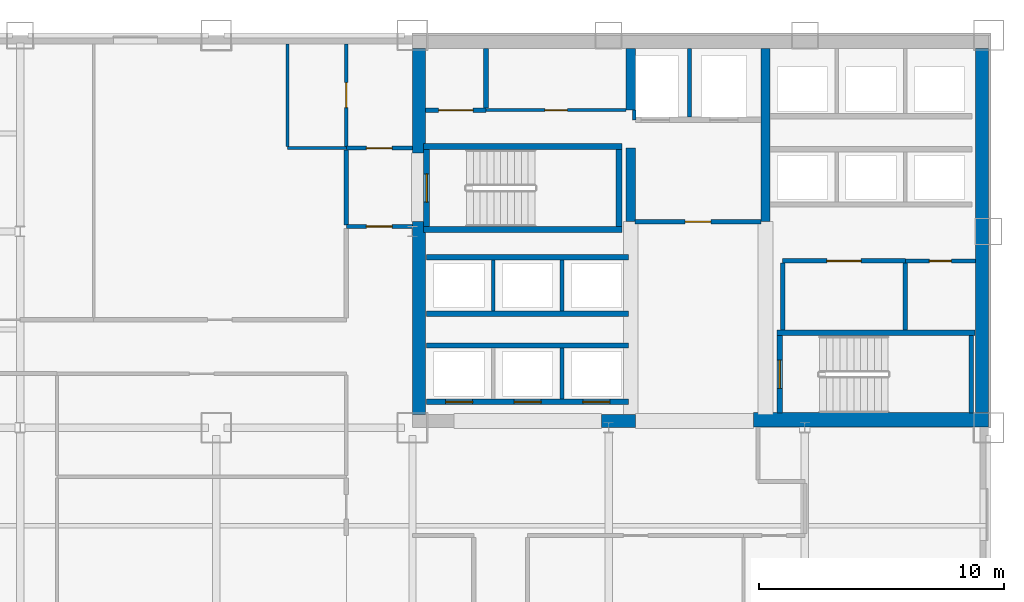
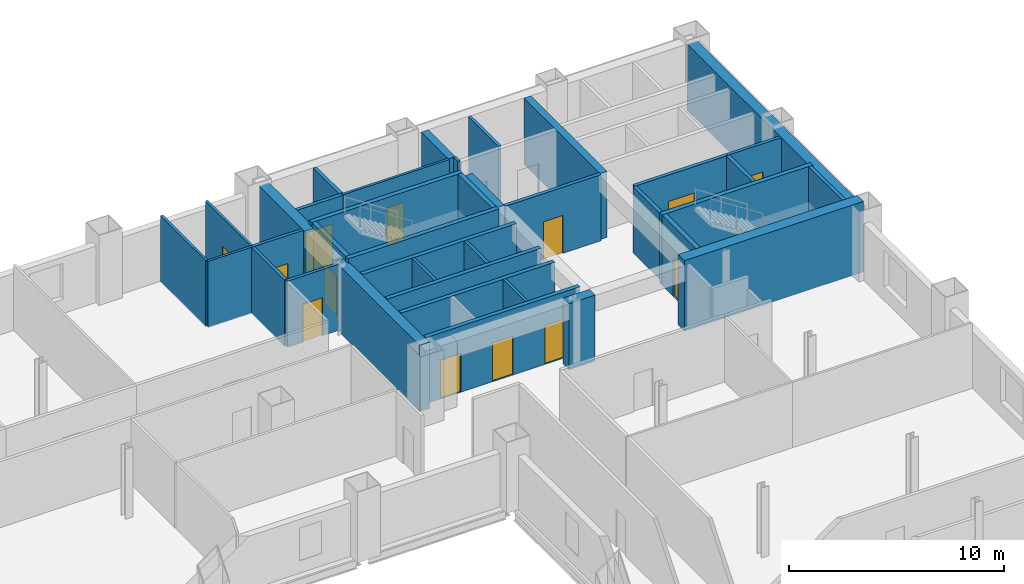
# One storey, part 6 of 9: 38 walls, 13 doors, 13 openings.
"""IFC4 building model written with IfcOpenShell, lengths in metres."""

from ifc_helpers import new_model, si_unit, direction, frame, frame_2d, origin, place, context, subcontext, project, spatial, rectangle, extrude, material, layer, layer_set, type_object, element, fill, save


model = new_model("IFC4")

# Units and contexts
model_context = context("Model", 3, precision=1e-05, world=origin(), true_north=direction((0.0, 1.0)))
body_context = subcontext(model_context, "Body", "Model", "MODEL_VIEW")
ifc_project = project(units=[si_unit("LENGTHUNIT", "METRE"), si_unit("AREAUNIT", "SQUARE_METRE"), si_unit("VOLUMEUNIT", "CUBIC_METRE"), si_unit("PLANEANGLEUNIT", "RADIAN"), si_unit("MASSUNIT", "GRAM", prefix="KILO")], contexts=[model_context])

# Site, building, storey
site_placement = place(None, origin())
site = spatial("IfcSite", under=ifc_project, at=site_placement, CompositionType="ELEMENT")
building_placement = place(site_placement, origin())
building = spatial("IfcBuilding", under=site, at=building_placement, Name="Qianrong Seaharbour Tower", CompositionType="ELEMENT")
storey_placement = place(building_placement, frame((0.0, 0.0, 80.199951171875)))
storey = spatial("IfcBuildingStorey", under=building, at=storey_placement, Name="L19", CompositionType="ELEMENT", Elevation=80.199951171875)

# Walls
ifc_material_1 = material(Name="Concrete C70/85", Category="concrete")
ifc_layer_1 = layer(ifc_material_1, 0.5400390625)
ifc_layer_set_1 = layer_set([ifc_layer_1], Name="Concrete C70/85")
wall_type_1 = type_object("IfcWallType", Name="WALL-CORE-540", PredefinedType="SHEAR", material=ifc_layer_set_1)
wall_1_placement = place(storey_placement, frame((63.72998046875, 36.320068359375, 0.0), z_axis=(0.0, 0.0, 1.0), x_axis=(0.0, 1.0, 0.0)))
element("IfcWall", 1, at=wall_1_placement, inside=storey, type_object=wall_type_1, Name="L19 East Core Shear Wall", PredefinedType="SHEAR", context=body_context, shape_type="SweptSolid", body=[
    extrude(rectangle(XDim=15.139892578125, YDim=0.5400390625, at=frame_2d((7.56982421875, 0.0))), origin(), (0.0, 0.0, 1.0), 3.75),
])
wall_2_placement = place(storey_placement, frame((40.77001953125, 36.5400390625, 0.0), z_axis=(0.0, 0.0, 1.0), x_axis=(0.0, 1.0, 0.0)))
element("IfcWall", 2, at=wall_2_placement, inside=storey, type_object=wall_type_1, Name="L19 West Core Shear Wall South", PredefinedType="SHEAR", context=body_context, shape_type="SweptSolid", body=[
    extrude(rectangle(XDim=7.85986328125, YDim=0.5400390625, at=frame_2d((3.929931640625, 0.0))), origin(), (0.0, 0.0, 1.0), 3.75),
])
wall_3_placement = place(storey_placement, frame((40.77001953125, 47.199951171875, 0.0), z_axis=(0.0, 0.0, 1.0), x_axis=(0.0, 1.0, 0.0)))
element("IfcWall", 3, at=wall_3_placement, inside=storey, type_object=wall_type_1, Name="L19 West Core Shear Wall North", PredefinedType="SHEAR", context=body_context, shape_type="SweptSolid", body=[
    extrude(rectangle(XDim=4.260009765625, YDim=0.5400390625, at=frame_2d((2.1298828125, 0.0))), origin(), (0.0, 0.0, 1.0), 3.75),
])
wall_4_placement = place(storey_placement, frame((48.199951171875, 36.27001953125, 0.0), z_axis=(0.0, 0.0, 1.0), x_axis=(1.0, 0.0, 0.0)))
element("IfcWall", 4, at=wall_4_placement, inside=storey, type_object=wall_type_1, Name="L19 South Core Shear Wall S2", PredefinedType="SHEAR", context=body_context, shape_type="SweptSolid", body=[
    extrude(rectangle(XDim=1.400146484375, YDim=0.5400390625, at=frame_2d((0.7001953125, 0.0))), origin(), (0.0, 0.0, 1.0), 3.75),
])
ifc_layer_2 = layer(ifc_material_1, 0.580078125)
ifc_layer_set_2 = layer_set([ifc_layer_2], Name="Concrete C70/85")
wall_type_2 = type_object("IfcWallType", Name="WALL-CORE-580", PredefinedType="SHEAR", material=ifc_layer_set_2)
wall_5_placement = place(storey_placement, frame((54.39990234375, 36.320068359375, 0.0), z_axis=(0.0, 0.0, 1.0), x_axis=(1.0, 0.0, 0.0)))
element("IfcWall", 5, at=wall_5_placement, inside=storey, type_object=wall_type_2, Name="L19 South Core Shear Wall S3", PredefinedType="SHEAR", context=body_context, shape_type="SweptSolid", body=[
    extrude(rectangle(XDim=9.60009765625, YDim=0.580078125, at=frame_2d((4.800048828125, 0.0))), origin(), (0.0, 0.0, 1.0), 4.0),
])
ifc_material_2 = material(Name="Concrete C60/75", Category="concrete")
ifc_layer_3 = layer(ifc_material_2, 0.3798828125)
ifc_layer_set_3 = layer_set([ifc_layer_3], Name="Concrete C60/75")
wall_type_3 = type_object("IfcWallType", Name="WALL-CORE-INT-380", PredefinedType="SHEAR", material=ifc_layer_set_3)
wall_6_placement = place(storey_placement, frame((49.39990234375, 44.39990234375, 0.0), z_axis=(0.0, 0.0, 1.0), x_axis=(0.0, 1.0, 0.0)))
element("IfcWall", 6, at=wall_6_placement, inside=storey, type_object=wall_type_3, Name="L19 Internal Core Shear Wall IW1N1", PredefinedType="SHEAR", context=body_context, shape_type="SweptSolid", body=[
    extrude(rectangle(XDim=3.0, YDim=0.3798828125, at=frame_2d((1.5, 0.0))), origin(), (0.0, 0.0, 1.0), 3.75),
])
wall_7_placement = place(storey_placement, frame((49.39990234375, 48.949951171875, 0.0), z_axis=(0.0, 0.0, 1.0), x_axis=(0.0, 1.0, 0.0)))
element("IfcWall", 7, at=wall_7_placement, inside=storey, type_object=wall_type_3, Name="L19 Internal Core Shear Wall IW1N2", PredefinedType="SHEAR", context=body_context, shape_type="SweptSolid", body=[
    extrude(rectangle(XDim=2.510009765625, YDim=0.3798828125, at=frame_2d((1.2548828125, 0.0))), origin(), (0.0, 0.0, 1.0), 3.75),
])
wall_8_placement = place(storey_placement, frame((54.89990234375, 44.39990234375, 0.0), z_axis=(0.0, 0.0, 1.0), x_axis=(0.0, 1.0, 0.0)))
element("IfcWall", 8, at=wall_8_placement, inside=storey, type_object=wall_type_3, Name="L19 Internal Core Shear Wall IW2N", PredefinedType="SHEAR", context=body_context, shape_type="SweptSolid", body=[
    extrude(rectangle(XDim=7.06005859375, YDim=0.3798828125, at=frame_2d((3.530029296875, 0.0))), origin(), (0.0, 0.0, 1.0), 3.75),
])

# Wall, opening, door
ifc_material_3 = material(Name="Fire-rated acoustic gypsum board partition")
ifc_layer_4 = layer(ifc_material_3, 0.1650390625)
ifc_layer_set_4 = layer_set([ifc_layer_4], Name="Fire-rated acoustic gypsum board partition")
wall_type_4 = type_object("IfcWallType", Name="WALL-CORR-PART-165", PredefinedType="PARTITIONING", material=ifc_layer_set_4)
wall_9_placement = place(storey_placement, frame((37.800048828125, 47.39990234375, 0.0), z_axis=(0.0, 0.0, 1.0), x_axis=(1.0, 0.0, 0.0)))
wall_9 = element("IfcWall", 9, at=wall_9_placement, inside=storey, type_object=wall_type_4, Name="L19 Interior Partition Wall 001", PredefinedType="PARTITIONING", context=body_context, shape_type="SweptSolid", body=[
    extrude(rectangle(XDim=2.699951171875, YDim=0.1650390625, at=frame_2d((1.35009765625, 0.0))), origin(), (0.0, 0.0, 1.0), 3.75),
])
opening_1_placement = place(wall_9_placement, frame((0.824951171875, 0.0, 0.0)))
opening_1 = element("IfcOpeningElement", 10, at=opening_1_placement, cuts=wall_9, Name="Opening DC-01", PredefinedType="OPENING", context=body_context, shape_type="SweptSolid", body=[
    extrude(rectangle(XDim=1.050048828125, YDim=2.14990234375, at=frame_2d((0.52490234375, 1.074951171875))), frame((0.0, 0.092529296875, 0.0), z_axis=(0.0, -1.0, 0.0), x_axis=(1.0, 0.0, 0.0)), (0.0, 0.0, 1.0), 0.18505859375),
])
ifc_material_4 = material(Name="Acoustic timber and galvanized steel fire door assembly", Category="steel")
door_type_1 = type_object("IfcDoorType", Name="DOOR-CORR-FD60-1050x2150", OperationType="NOTDEFINED", PredefinedType="DOOR", material=ifc_material_4)
door_1_placement = place(opening_1_placement, origin())
door_1 = element("IfcDoor", 11, at=door_1_placement, inside=storey, type_object=door_type_1, Name="L19 Smokeproof Stair Vestibule ST-1 Door", OperationType="SINGLE_SWING_LEFT", OverallHeight=2.14990234375, OverallWidth=1.050048828125, PredefinedType="DOOR", context=body_context, shape_type="SweptSolid", body=[
    extrude(rectangle(XDim=1.050048828125, YDim=2.14990234375, at=frame_2d((0.52490234375, 1.074951171875))), frame((0.0, 0.02490234375, 0.0), z_axis=(0.0, -1.0, 0.0), x_axis=(1.0, 0.0, 0.0)), (0.0, 0.0, 1.0), 0.050048828125),
])
fill(opening_1, door_1)

wall_10_placement = place(storey_placement, frame((40.5, 44.199951171875, 0.0), z_axis=(0.0, 0.0, 1.0), x_axis=(-1.0, 0.0, 0.0)))
wall_10 = element("IfcWall", 12, at=wall_10_placement, inside=storey, type_object=wall_type_4, Name="L19 Interior Partition Wall 002", PredefinedType="PARTITIONING", context=body_context, shape_type="SweptSolid", body=[
    extrude(rectangle(XDim=2.699951171875, YDim=0.1650390625, at=frame_2d((1.35009765625, 0.0))), origin(), (0.0, 0.0, 1.0), 3.75),
])
opening_2_placement = place(wall_10_placement, frame((0.824951171875, 0.0, 0.0)))
opening_2 = element("IfcOpeningElement", 13, at=opening_2_placement, cuts=wall_10, Name="Opening DC-01", PredefinedType="OPENING", context=body_context, shape_type="SweptSolid", body=[
    extrude(rectangle(XDim=1.050048828125, YDim=2.14990234375, at=frame_2d((0.52490234375, 1.074951171875))), frame((0.0, 0.092529296875, 0.0), z_axis=(0.0, -1.0, 0.0), x_axis=(1.0, 0.0, 0.0)), (0.0, 0.0, 1.0), 0.18505859375),
])
door_2_placement = place(opening_2_placement, origin())
door_2 = element("IfcDoor", 14, at=door_2_placement, inside=storey, type_object=door_type_1, Name="L19 Smokeproof Stair Vestibule ST-1 Door", OperationType="SINGLE_SWING_RIGHT", OverallHeight=2.14990234375, OverallWidth=1.050048828125, PredefinedType="DOOR", context=body_context, shape_type="SweptSolid", body=[
    extrude(rectangle(XDim=1.050048828125, YDim=2.14990234375, at=frame_2d((0.52490234375, 1.074951171875))), frame((0.0, 0.02490234375, 0.0), z_axis=(0.0, -1.0, 0.0), x_axis=(1.0, 0.0, 0.0)), (0.0, 0.0, 1.0), 0.050048828125),
])
fill(opening_2, door_2)

# Wall
wall_11_placement = place(storey_placement, frame((37.800048828125, 44.2744140625, 0.0), z_axis=(0.0, 0.0, 1.0), x_axis=(0.0, 1.0, 0.0)))
element("IfcWall", 15, at=wall_11_placement, inside=storey, type_object=wall_type_4, Name="L19 Interior Partition Wall 003", PredefinedType="PARTITIONING", context=body_context, shape_type="SweptSolid", body=[
    extrude(rectangle(XDim=3.051025390625, YDim=0.1650390625, at=frame_2d((1.525390625, 0.0))), origin(), (0.0, 0.0, 1.0), 3.75),
])

# Wall, opening, door
wall_12_placement = place(storey_placement, frame((63.4599609375, 42.800048828125, 0.0), z_axis=(0.0, 0.0, 1.0), x_axis=(-1.0, 0.0, 0.0)))
wall_12 = element("IfcWall", 16, at=wall_12_placement, inside=storey, type_object=wall_type_4, Name="L19 Interior Partition Wall 012", PredefinedType="PARTITIONING", context=body_context, shape_type="SweptSolid", body=[
    extrude(rectangle(XDim=2.85986328125, YDim=0.1650390625, at=frame_2d((1.429931640625, 0.0))), origin(), (0.0, 0.0, 1.0), 3.75),
])
opening_3_placement = place(wall_12_placement, frame((0.97998046875, 0.0, 0.0)))
opening_3 = element("IfcOpeningElement", 17, at=opening_3_placement, cuts=wall_12, Name="Opening DS-01", PredefinedType="OPENING", context=body_context, shape_type="SweptSolid", body=[
    extrude(rectangle(XDim=0.89990234375, YDim=2.14990234375, at=frame_2d((0.449951171875, 1.074951171875))), frame((0.0, 0.092529296875, 0.0), z_axis=(0.0, -1.0, 0.0), x_axis=(1.0, 0.0, 0.0)), (0.0, 0.0, 1.0), 0.18505859375),
])
door_type_2 = type_object("IfcDoorType", Name="DOOR-STORE-900x2150", OperationType="NOTDEFINED", PredefinedType="DOOR", material=ifc_material_4)
door_3_placement = place(opening_3_placement, origin())
door_3 = element("IfcDoor", 18, at=door_3_placement, inside=storey, type_object=door_type_2, Name="L19 Housekeeping Linen Store Door", OperationType="SINGLE_SWING_RIGHT", OverallHeight=2.14990234375, OverallWidth=0.89990234375, PredefinedType="DOOR", context=body_context, shape_type="SweptSolid", body=[
    extrude(rectangle(XDim=0.89990234375, YDim=2.14990234375, at=frame_2d((0.449951171875, 1.074951171875))), frame((0.0, 0.02490234375, 0.0), z_axis=(0.0, -1.0, 0.0), x_axis=(1.0, 0.0, 0.0)), (0.0, 0.0, 1.0), 0.050048828125),
])
fill(opening_3, door_3)

ifc_material_5 = material(Name="Double fire-rated gypsum board acoustic partition")
ifc_layer_5 = layer(ifc_material_5, 0.18994140625)
ifc_layer_set_5 = layer_set([ifc_layer_5], Name="Double fire-rated gypsum board acoustic partition")
wall_type_5 = type_object("IfcWallType", Name="WALL-FIRE-PART-190", PredefinedType="PARTITIONING", material=ifc_layer_set_5)
wall_13_placement = place(storey_placement, frame((41.0400390625, 48.949951171875, 0.0), z_axis=(0.0, 0.0, 1.0), x_axis=(1.0, 0.0, 0.0)))
wall_13 = element("IfcWall", 19, at=wall_13_placement, inside=storey, type_object=wall_type_5, Name="L19 Interior Partition Wall 007", PredefinedType="PARTITIONING", context=body_context, shape_type="SweptSolid", body=[
    extrude(rectangle(XDim=2.4599609375, YDim=0.18994140625, at=frame_2d((1.22998046875, 0.0))), origin(), (0.0, 0.0, 1.0), 3.75),
])
opening_4_placement = place(wall_13_placement, frame((0.530029296875, 0.0, 0.0)))
opening_4 = element("IfcOpeningElement", 20, at=opening_4_placement, cuts=wall_13, Name="Opening DP-01", PredefinedType="OPENING", context=body_context, shape_type="SweptSolid", body=[
    extrude(rectangle(XDim=1.39990234375, YDim=2.25, at=frame_2d((0.699951171875, 1.125))), frame((0.0, 0.10498046875, 0.0), z_axis=(0.0, -1.0, 0.0), x_axis=(1.0, 0.0, 0.0)), (0.0, 0.0, 1.0), 0.2099609375),
])
door_type_3 = type_object("IfcDoorType", Name="DOOR-PLANT-PAIR-1400x2250", OperationType="DOUBLE_DOOR_SINGLE_SWING", PredefinedType="DOOR", material=ifc_material_4)
door_4_placement = place(opening_4_placement, origin())
door_4 = element("IfcDoor", 21, at=door_4_placement, inside=storey, type_object=door_type_3, Name="L19 Core Electrical Closet Door", OperationType="DOUBLE_DOOR_SINGLE_SWING", OverallHeight=2.25, OverallWidth=1.39990234375, PredefinedType="DOOR", context=body_context, shape_type="SweptSolid", body=[
    extrude(rectangle(XDim=1.39990234375, YDim=2.25, at=frame_2d((0.699951171875, 1.125))), frame((0.0, 0.02490234375, 0.0), z_axis=(0.0, -1.0, 0.0), x_axis=(1.0, 0.0, 0.0)), (0.0, 0.0, 1.0), 0.050048828125),
])
fill(opening_4, door_4)

wall_14_placement = place(storey_placement, frame((54.718017578125, 44.39990234375, 0.0), z_axis=(0.0, 0.0, 1.0), x_axis=(-1.0, 0.0, 0.0)))
wall_14 = element("IfcWall", 22, at=wall_14_placement, inside=storey, type_object=wall_type_5, Name="L19 Interior Partition Wall 009", PredefinedType="PARTITIONING", context=body_context, shape_type="SweptSolid", body=[
    extrude(rectangle(XDim=5.135986328125, YDim=0.18994140625, at=frame_2d((2.56787109375, 0.0))), origin(), (0.0, 0.0, 1.0), 3.75),
])
opening_5_placement = place(wall_14_placement, frame((2.04296875, 0.0, 0.0)))
opening_5 = element("IfcOpeningElement", 23, at=opening_5_placement, cuts=wall_14, Name="Opening DC-01", PredefinedType="OPENING", context=body_context, shape_type="SweptSolid", body=[
    extrude(rectangle(XDim=1.050048828125, YDim=2.14990234375, at=frame_2d((0.52490234375, 1.074951171875))), frame((0.0, 0.10498046875, 0.0), z_axis=(0.0, -1.0, 0.0), x_axis=(1.0, 0.0, 0.0)), (0.0, 0.0, 1.0), 0.2099609375),
])
door_5_placement = place(opening_5_placement, origin())
door_5 = element("IfcDoor", 24, at=door_5_placement, inside=storey, type_object=door_type_1, Name="L19 Firefighting Lift Lobby Door", OperationType="SINGLE_SWING_RIGHT", OverallHeight=2.14990234375, OverallWidth=1.050048828125, PredefinedType="DOOR", context=body_context, shape_type="SweptSolid", body=[
    extrude(rectangle(XDim=1.050048828125, YDim=2.14990234375, at=frame_2d((0.52490234375, 1.074951171875))), frame((0.0, 0.02490234375, 0.0), z_axis=(0.0, -1.0, 0.0), x_axis=(1.0, 0.0, 0.0)), (0.0, 0.0, 1.0), 0.050048828125),
])
fill(opening_5, door_5)

# Wall
wall_15_placement = place(storey_placement, frame((55.60009765625, 42.712890625, 0.0), z_axis=(0.0, 0.0, 1.0), x_axis=(0.0, -1.0, 0.0)))
element("IfcWall", 25, at=wall_15_placement, inside=storey, type_object=wall_type_5, Name="L19 Interior Partition Wall 010", PredefinedType="PARTITIONING", context=body_context, shape_type="SweptSolid", body=[
    extrude(rectangle(XDim=2.73095703125, YDim=0.18994140625, at=frame_2d((1.365478515625, 0.0))), origin(), (0.0, 0.0, 1.0), 3.75),
])

# Wall, opening, door
wall_16_placement = place(storey_placement, frame((60.60009765625, 42.800048828125, 0.0), z_axis=(0.0, 0.0, 1.0), x_axis=(-1.0, 0.0, 0.0)))
wall_16 = element("IfcWall", 26, at=wall_16_placement, inside=storey, type_object=wall_type_5, Name="L19 Interior Partition Wall 011", PredefinedType="PARTITIONING", context=body_context, shape_type="SweptSolid", body=[
    extrude(rectangle(XDim=5.0, YDim=0.18994140625, at=frame_2d((2.5, 0.0))), origin(), (0.0, 0.0, 1.0), 3.75),
])
opening_6_placement = place(wall_16_placement, frame((1.800048828125, 0.0, 0.0)))
opening_6 = element("IfcOpeningElement", 27, at=opening_6_placement, cuts=wall_16, Name="Opening DP-01", PredefinedType="OPENING", context=body_context, shape_type="SweptSolid", body=[
    extrude(rectangle(XDim=1.39990234375, YDim=2.25, at=frame_2d((0.699951171875, 1.125))), frame((0.0, 0.10498046875, 0.0), z_axis=(0.0, -1.0, 0.0), x_axis=(1.0, 0.0, 0.0)), (0.0, 0.0, 1.0), 0.2099609375),
])
door_6_placement = place(opening_6_placement, origin())
door_6 = element("IfcDoor", 28, at=door_6_placement, inside=storey, type_object=door_type_3, Name="L19 Submetering Switch Room Door", OperationType="DOUBLE_DOOR_SINGLE_SWING", OverallHeight=2.25, OverallWidth=1.39990234375, PredefinedType="DOOR", context=body_context, shape_type="SweptSolid", body=[
    extrude(rectangle(XDim=1.39990234375, YDim=2.25, at=frame_2d((0.699951171875, 1.125))), frame((0.0, 0.02490234375, 0.0), z_axis=(0.0, -1.0, 0.0), x_axis=(1.0, 0.0, 0.0)), (0.0, 0.0, 1.0), 0.050048828125),
])
fill(opening_6, door_6)

# Walls
wall_17_placement = place(storey_placement, frame((43.5, 51.4599609375, 0.0), z_axis=(0.0, 0.0, 1.0), x_axis=(0.0, -1.0, 0.0)))
element("IfcWall", 29, at=wall_17_placement, inside=storey, type_object=wall_type_5, Name="L19 Interior Partition Wall 013", PredefinedType="PARTITIONING", context=body_context, shape_type="SweptSolid", body=[
    extrude(rectangle(XDim=2.4228515625, YDim=0.18994140625, at=frame_2d((1.21142578125, 0.0))), origin(), (0.0, 0.0, 1.0), 3.75),
])
wall_18_placement = place(storey_placement, frame((60.60009765625, 42.712890625, 0.0), z_axis=(0.0, 0.0, 1.0), x_axis=(0.0, -1.0, 0.0)))
element("IfcWall", 30, at=wall_18_placement, inside=storey, type_object=wall_type_5, Name="L19 Interior Partition Wall 014", PredefinedType="PARTITIONING", context=body_context, shape_type="SweptSolid", body=[
    extrude(rectangle(XDim=2.73095703125, YDim=0.18994140625, at=frame_2d((1.365478515625, 0.0))), origin(), (0.0, 0.0, 1.0), 3.75),
])
ifc_material_6 = material(Name="Fire-rated gypsum board on steel studs", Category="steel")
ifc_layer_6 = layer(ifc_material_6, 0.14990234375)
ifc_layer_set_6 = layer_set([ifc_layer_6], Name="Fire-rated gypsum board on steel studs")
wall_type_6 = type_object("IfcWallType", Name="WALL-SHAFT-DIV-150", PredefinedType="PARTITIONING", material=ifc_layer_set_6)
wall_19_placement = place(storey_placement, frame((51.800048828125, 48.669921875, 0.0), z_axis=(0.0, 0.0, 1.0), x_axis=(0.0, 1.0, 0.0)))
element("IfcWall", 31, at=wall_19_placement, inside=storey, type_object=wall_type_6, Name="L19 Firefighting Lift Shaft Divider Wall", PredefinedType="PARTITIONING", context=body_context, shape_type="SweptSolid", body=[
    extrude(rectangle(XDim=2.7900390625, YDim=0.14990234375, at=frame_2d((1.39501953125, 0.0))), origin(), (0.0, 0.0, 1.0), 3.75),
])
wall_20_placement = place(storey_placement, frame((49.550048828125, 48.550048828125, 0.0), z_axis=(0.0, 0.0, 1.0), x_axis=(0.0, 1.0, 0.0)))
element("IfcWall", 32, at=wall_20_placement, inside=storey, type_object=wall_type_6, Name="L19 Firefighting Lift Shaft West Return Wall", PredefinedType="PARTITIONING", context=body_context, shape_type="SweptSolid", body=[
    extrude(rectangle(XDim=0.39990234375, YDim=0.14990234375, at=frame_2d((0.199951171875, 0.0))), origin(), (0.0, 0.0, 1.0), 3.75),
])
for number, where, z_axis, x_axis, name in (
    (33, (46.60009765625, 37.159912109375, 0.0), (0.0, 0.0, 1.0), (0.0, 1.0, 0.0), "L19 P1 Lift Hoistway Divider 3"),
    (34, (43.800048828125, 40.760009765625, 0.0), (0.0, 0.0, 1.0), (0.0, 1.0, 0.0), "L19 P2 Lift Hoistway Divider 2"),
    (35, (46.60009765625, 40.760009765625, 0.0), (0.0, 0.0, 1.0), (0.0, 1.0, 0.0), "L19 P2 Lift Hoistway Divider 3"),
):
    element("IfcWall", number, at=place(storey_placement, frame(where, z_axis=z_axis, x_axis=x_axis)), inside=storey, type_object=wall_type_6, Name=name, PredefinedType="PARTITIONING", context=body_context, shape_type="SweptSolid", body=[
        extrude(rectangle(XDim=2.080078125, YDim=0.14990234375, at=frame_2d((1.0400390625, 0.0))), origin(), (0.0, 0.0, 1.0), 3.75),
    ])

# Wall, openings, doors
ifc_layer_7 = layer(ifc_material_6, 0.219970703125)
ifc_layer_set_7 = layer_set([ifc_layer_7], Name="Fire-rated gypsum board on steel studs")
wall_type_7 = type_object("IfcWallType", Name="WALL-SHAFT-GYP220", PredefinedType="PARTITIONING", material=ifc_layer_set_7)
wall_21_placement = place(storey_placement, frame((49.320068359375, 37.050048828125, 0.0), z_axis=(0.0, 0.0, 1.0), x_axis=(-1.0, 0.0, 0.0)))
wall_21 = element("IfcWall", 36, at=wall_21_placement, inside=storey, type_object=wall_type_7, Name="L19 P1 Lift Hoistway Front Wall", PredefinedType="PARTITIONING", context=body_context, shape_type="SweptSolid", body=[
    extrude(rectangle(XDim=8.239990234375, YDim=0.219970703125, at=frame_2d((4.1201171875, 0.0))), origin(), (0.0, 0.0, 1.0), 3.75),
])
opening_7_placement = place(wall_21_placement, frame((6.3701171875, 0.0, 0.0)))
opening_7 = element("IfcOpeningElement", 37, at=opening_7_placement, cuts=wall_21, Name="Opening LD-02", PredefinedType="OPENING", context=body_context, shape_type="SweptSolid", body=[
    extrude(rectangle(XDim=1.10009765625, YDim=2.199951171875, at=frame_2d((0.550048828125, 1.10009765625))), frame((0.0, 0.1201171875, 0.0), z_axis=(0.0, -1.0, 0.0), x_axis=(1.0, 0.0, 0.0)), (0.0, 0.0, 1.0), 0.239990234375),
])
opening_8_placement = place(wall_21_placement, frame((3.570068359375, 0.0, 0.0)))
opening_8 = element("IfcOpeningElement", 38, at=opening_8_placement, cuts=wall_21, Name="Opening LD-02", PredefinedType="OPENING", context=body_context, shape_type="SweptSolid", body=[
    extrude(rectangle(XDim=1.10009765625, YDim=2.199951171875, at=frame_2d((0.550048828125, 1.10009765625))), frame((0.0, 0.1201171875, 0.0), z_axis=(0.0, -1.0, 0.0), x_axis=(1.0, 0.0, 0.0)), (0.0, 0.0, 1.0), 0.239990234375),
])
opening_9_placement = place(wall_21_placement, frame((0.77001953125, 0.0, 0.0)))
opening_9 = element("IfcOpeningElement", 39, at=opening_9_placement, cuts=wall_21, Name="Opening LD-02", PredefinedType="OPENING", context=body_context, shape_type="SweptSolid", body=[
    extrude(rectangle(XDim=1.10009765625, YDim=2.199951171875, at=frame_2d((0.550048828125, 1.10009765625))), frame((0.0, 0.1201171875, 0.0), z_axis=(0.0, -1.0, 0.0), x_axis=(1.0, 0.0, 0.0)), (0.0, 0.0, 1.0), 0.239990234375),
])
ifc_material_7 = material(Name="Stainless steel SUS316L bi-parting lift landing door", Category="steel")
door_type_4 = type_object("IfcDoorType", Name="DOOR-LIFT-PASS-1100x2200", OperationType="DOUBLE_DOOR_SLIDING", PredefinedType="DOOR", material=ifc_material_7)
door_7_placement = place(opening_7_placement, origin())
door_7 = element("IfcDoor", 40, at=door_7_placement, inside=storey, type_object=door_type_4, Name="L19 PL-1A Lift Landing Door", OperationType="DOUBLE_DOOR_SLIDING", OverallHeight=2.199951171875, OverallWidth=1.10009765625, PredefinedType="DOOR", context=body_context, shape_type="SweptSolid", body=[
    extrude(rectangle(XDim=1.10009765625, YDim=2.199951171875, at=frame_2d((0.550048828125, 1.10009765625))), frame((0.0, 0.02490234375, 0.0), z_axis=(0.0, -1.0, 0.0), x_axis=(1.0, 0.0, 0.0)), (0.0, 0.0, 1.0), 0.050048828125),
])
fill(opening_7, door_7)
door_8_placement = place(opening_8_placement, origin())
door_8 = element("IfcDoor", 41, at=door_8_placement, inside=storey, type_object=door_type_4, Name="L19 PL-1B Lift Landing Door", OperationType="DOUBLE_DOOR_SLIDING", OverallHeight=2.199951171875, OverallWidth=1.10009765625, PredefinedType="DOOR", context=body_context, shape_type="SweptSolid", body=[
    extrude(rectangle(XDim=1.10009765625, YDim=2.199951171875, at=frame_2d((0.550048828125, 1.10009765625))), frame((0.0, 0.02490234375, 0.0), z_axis=(0.0, -1.0, 0.0), x_axis=(1.0, 0.0, 0.0)), (0.0, 0.0, 1.0), 0.050048828125),
])
fill(opening_8, door_8)
door_9_placement = place(opening_9_placement, origin())
door_9 = element("IfcDoor", 42, at=door_9_placement, inside=storey, type_object=door_type_4, Name="L19 PL-1C Lift Landing Door", OperationType="DOUBLE_DOOR_SLIDING", OverallHeight=2.199951171875, OverallWidth=1.10009765625, PredefinedType="DOOR", context=body_context, shape_type="SweptSolid", body=[
    extrude(rectangle(XDim=1.10009765625, YDim=2.199951171875, at=frame_2d((0.550048828125, 1.10009765625))), frame((0.0, 0.02490234375, 0.0), z_axis=(0.0, -1.0, 0.0), x_axis=(1.0, 0.0, 0.0)), (0.0, 0.0, 1.0), 0.050048828125),
])
fill(opening_9, door_9)

# Walls
for number, where, z_axis, x_axis, name in (
    (43, (41.080078125, 39.35009765625, 0.0), (0.0, 0.0, 1.0), (1.0, 0.0, 0.0), "L19 P1 Lift Hoistway Back Wall"),
    (44, (49.320068359375, 40.64990234375, 0.0), (0.0, 0.0, 1.0), (-1.0, 0.0, 0.0), "L19 P2 Lift Hoistway Front Wall"),
    (45, (41.080078125, 42.949951171875, 0.0), (0.0, 0.0, 1.0), (1.0, 0.0, 0.0), "L19 P2 Lift Hoistway Back Wall"),
):
    element("IfcWall", number, at=place(storey_placement, frame(where, z_axis=z_axis, x_axis=x_axis)), inside=storey, type_object=wall_type_7, Name=name, PredefinedType="PARTITIONING", context=body_context, shape_type="SweptSolid", body=[
        extrude(rectangle(XDim=8.239990234375, YDim=0.219970703125, at=frame_2d((4.1201171875, 0.0))), origin(), (0.0, 0.0, 1.0), 3.75),
    ])
ifc_material_8 = material(Name="Concrete C50/60", Category="concrete")
ifc_layer_8 = layer(ifc_material_8, 0.239990234375)
ifc_layer_set_8 = layer_set([ifc_layer_8], Name="Concrete C50/60")
wall_type_8 = type_object("IfcWallType", Name="WALL-SHAFT-RC240", PredefinedType="SOLIDWALL", material=ifc_layer_set_8)
for number, where, z_axis, x_axis, name in (
    (46, (40.9599609375, 47.469970703125, 0.0), (0.0, 0.0, 1.0), (1.0, 0.0, 0.0), "L19 ST-1 Structural Stair Core Wall N"),
    (47, (49.0400390625, 44.080078125, 0.0), (0.0, 0.0, 1.0), (-1.0, 0.0, 0.0), "L19 ST-1 Structural Stair Core Wall S"),
):
    element("IfcWall", number, at=place(storey_placement, frame(where, z_axis=z_axis, x_axis=x_axis)), inside=storey, type_object=wall_type_8, Name=name, PredefinedType="SOLIDWALL", context=body_context, shape_type="SweptSolid", body=[
        extrude(rectangle(XDim=8.080078125, YDim=0.239990234375, at=frame_2d((4.0400390625, 0.0))), origin(), (0.0, 0.0, 1.0), 4.0),
    ])

# Wall, opening, door
wall_22_placement = place(storey_placement, frame((41.080078125, 47.35009765625, 0.0), z_axis=(0.0, 0.0, 1.0), x_axis=(0.0, -1.0, 0.0)))
wall_22 = element("IfcWall", 48, at=wall_22_placement, inside=storey, type_object=wall_type_8, Name="L19 ST-1 Structural Stair Core Wall W", PredefinedType="SOLIDWALL", context=body_context, shape_type="SweptSolid", body=[
    extrude(rectangle(XDim=3.150146484375, YDim=0.239990234375, at=frame_2d((1.5751953125, 0.0))), origin(), (0.0, 0.0, 1.0), 4.0),
])
opening_10_placement = place(wall_22_placement, frame((1.0, 0.0, 0.0)))
opening_10 = element("IfcOpeningElement", 49, at=opening_10_placement, cuts=wall_22, Name="Opening SD-01", PredefinedType="OPENING", context=body_context, shape_type="SweptSolid", body=[
    extrude(rectangle(XDim=1.14990234375, YDim=2.199951171875, at=frame_2d((0.574951171875, 1.10009765625))), frame((0.0, 0.1298828125, 0.0), z_axis=(0.0, -1.0, 0.0), x_axis=(1.0, 0.0, 0.0)), (0.0, 0.0, 1.0), 0.260009765625),
])
door_type_5 = type_object("IfcDoorType", Name="DOOR-STAIR-FD60-1150x2200", OperationType="NOTDEFINED", PredefinedType="DOOR", material=ifc_material_4)
door_10_placement = place(opening_10_placement, origin())
door_10 = element("IfcDoor", 50, at=door_10_placement, inside=storey, type_object=door_type_5, Name="L19 ST-1 Protected Stair Door", OperationType="SINGLE_SWING_RIGHT", OverallHeight=2.199951171875, OverallWidth=1.14990234375, PredefinedType="DOOR", context=body_context, shape_type="SweptSolid", body=[
    extrude(rectangle(XDim=1.14990234375, YDim=2.199951171875, at=frame_2d((0.574951171875, 1.10009765625))), frame((0.0, 0.02490234375, 0.0), z_axis=(0.0, -1.0, 0.0), x_axis=(1.0, 0.0, 0.0)), (0.0, 0.0, 1.0), 0.050048828125),
])
fill(opening_10, door_10)

# Walls
wall_23_placement = place(storey_placement, frame((48.919921875, 44.199951171875, 0.0), z_axis=(0.0, 0.0, 1.0), x_axis=(0.0, 1.0, 0.0)))
element("IfcWall", 51, at=wall_23_placement, inside=storey, type_object=wall_type_8, Name="L19 ST-1 Structural Stair Core Wall E", PredefinedType="SOLIDWALL", context=body_context, shape_type="SweptSolid", body=[
    extrude(rectangle(XDim=3.150146484375, YDim=0.239990234375, at=frame_2d((1.5751953125, 0.0))), origin(), (0.0, 0.0, 1.0), 4.0),
])
wall_24_placement = place(storey_placement, frame((55.360107421875, 39.8701171875, 0.0), z_axis=(0.0, 0.0, 1.0), x_axis=(1.0, 0.0, 0.0)))
element("IfcWall", 52, at=wall_24_placement, inside=storey, type_object=wall_type_8, Name="L19 ST-2 Structural Stair Core Wall N", PredefinedType="SOLIDWALL", context=body_context, shape_type="SweptSolid", body=[
    extrude(rectangle(XDim=8.079833984375, YDim=0.239990234375, at=frame_2d((4.0400390625, 0.0))), origin(), (0.0, 0.0, 1.0), 4.0),
])

# Wall, opening, door
wall_25_placement = place(storey_placement, frame((55.47998046875, 39.75, 0.0), z_axis=(0.0, 0.0, 1.0), x_axis=(0.0, -1.0, 0.0)))
wall_25 = element("IfcWall", 53, at=wall_25_placement, inside=storey, type_object=wall_type_8, Name="L19 ST-2 Structural Stair Core Wall W", PredefinedType="SOLIDWALL", context=body_context, shape_type="SweptSolid", body=[
    extrude(rectangle(XDim=3.14990234375, YDim=0.239990234375, at=frame_2d((1.574951171875, 0.0))), origin(), (0.0, 0.0, 1.0), 4.0),
])
opening_11_placement = place(wall_25_placement, frame((1.0, 0.0, 0.0)))
opening_11 = element("IfcOpeningElement", 54, at=opening_11_placement, cuts=wall_25, Name="Opening SD-01", PredefinedType="OPENING", context=body_context, shape_type="SweptSolid", body=[
    extrude(rectangle(XDim=1.14990234375, YDim=2.199951171875, at=frame_2d((0.574951171875, 1.10009765625))), frame((0.0, 0.1298828125, 0.0), z_axis=(0.0, -1.0, 0.0), x_axis=(1.0, 0.0, 0.0)), (0.0, 0.0, 1.0), 0.260009765625),
])
door_11_placement = place(opening_11_placement, origin())
door_11 = element("IfcDoor", 55, at=door_11_placement, inside=storey, type_object=door_type_5, Name="L19 ST-2 Protected Stair Door", OperationType="SINGLE_SWING_RIGHT", OverallHeight=2.199951171875, OverallWidth=1.14990234375, PredefinedType="DOOR", context=body_context, shape_type="SweptSolid", body=[
    extrude(rectangle(XDim=1.14990234375, YDim=2.199951171875, at=frame_2d((0.574951171875, 1.10009765625))), frame((0.0, 0.02490234375, 0.0), z_axis=(0.0, -1.0, 0.0), x_axis=(1.0, 0.0, 0.0)), (0.0, 0.0, 1.0), 0.050048828125),
])
fill(opening_11, door_11)

# Wall
wall_26_placement = place(storey_placement, frame((63.2900390625, 36.60009765625, 0.0), z_axis=(0.0, 0.0, 1.0), x_axis=(0.0, 1.0, 0.0)))
element("IfcWall", 56, at=wall_26_placement, inside=storey, type_object=wall_type_8, Name="L19 ST-2 Structural Stair Core Wall E", PredefinedType="SOLIDWALL", context=body_context, shape_type="SweptSolid", body=[
    extrude(rectangle(XDim=3.14990234375, YDim=0.179931640625, at=frame_2d((1.574951171875, 0.0))), origin(), (0.0, 0.0, 1.0), 4.0),
])

# Wall, opening, door
ifc_material_9 = material(Name="Water-resistant cement board sanitary partition")
ifc_layer_9 = layer(ifc_material_9, 0.1298828125)
ifc_layer_set_9 = layer_set([ifc_layer_9], Name="Water-resistant cement board sanitary partition")
wall_type_9 = type_object("IfcWallType", Name="WALL-WET-PART-130", PredefinedType="PARTITIONING", material=ifc_layer_set_9)
wall_27_placement = place(storey_placement, frame((37.800048828125, 47.474609375, 0.0), z_axis=(0.0, 0.0, 1.0), x_axis=(0.0, 1.0, 0.0)))
wall_27 = element("IfcWall", 57, at=wall_27_placement, inside=storey, type_object=wall_type_9, Name="L19 Interior Partition Wall 004", PredefinedType="PARTITIONING", context=body_context, shape_type="SweptSolid", body=[
    extrude(rectangle(XDim=4.17333984375, YDim=0.1298828125, at=frame_2d((2.086669921875, 0.0))), origin(), (0.0, 0.0, 1.0), 3.75),
])
opening_12_placement = place(wall_27_placement, frame((1.57666015625, 0.0, 0.0)))
opening_12 = element("IfcOpeningElement", 58, at=opening_12_placement, cuts=wall_27, Name="Opening DAW-01", PredefinedType="OPENING", context=body_context, shape_type="SweptSolid", body=[
    extrude(rectangle(XDim=1.02001953125, YDim=2.14990234375, at=frame_2d((0.510009765625, 1.074951171875))), frame((0.0, 0.074951171875, 0.0), z_axis=(0.0, -1.0, 0.0), x_axis=(1.0, 0.0, 0.0)), (0.0, 0.0, 1.0), 0.14990234375),
])
door_type_6 = type_object("IfcDoorType", Name="DOOR-AWC-SLIDE-1020x2150", OperationType="SLIDING_TO_LEFT", PredefinedType="DOOR", material=ifc_material_4)
door_12_placement = place(opening_12_placement, origin())
door_12 = element("IfcDoor", 59, at=door_12_placement, inside=storey, type_object=door_type_6, Name="L19 Accessible Restroom WC Door", OperationType="SLIDING_TO_LEFT", OverallHeight=2.14990234375, OverallWidth=1.02001953125, PredefinedType="DOOR", context=body_context, shape_type="SweptSolid", body=[
    extrude(rectangle(XDim=1.02001953125, YDim=2.14990234375, at=frame_2d((0.510009765625, 1.074951171875))), frame((0.0, 0.02490234375, 0.0), z_axis=(0.0, -1.0, 0.0), x_axis=(1.0, 0.0, 0.0)), (0.0, 0.0, 1.0), 0.050048828125),
])
fill(opening_12, door_12)

# Walls
wall_28_placement = place(storey_placement, frame((37.800048828125, 47.39990234375, 0.0), z_axis=(0.0, 0.0, 1.0), x_axis=(-1.0, 0.0, 0.0)))
element("IfcWall", 60, at=wall_28_placement, inside=storey, type_object=wall_type_9, Name="L19 Interior Partition Wall 005", PredefinedType="PARTITIONING", context=body_context, shape_type="SweptSolid", body=[
    extrude(rectangle(XDim=2.400146484375, YDim=0.1298828125, at=frame_2d((1.2001953125, 0.0))), origin(), (0.0, 0.0, 1.0), 3.75),
])
wall_29_placement = place(storey_placement, frame((35.39990234375, 47.45703125, 0.0), z_axis=(0.0, 0.0, 1.0), x_axis=(0.0, 1.0, 0.0)))
element("IfcWall", 61, at=wall_29_placement, inside=storey, type_object=wall_type_9, Name="L19 Interior Partition Wall 006", PredefinedType="PARTITIONING", context=body_context, shape_type="SweptSolid", body=[
    extrude(rectangle(XDim=4.19091796875, YDim=0.1298828125, at=frame_2d((2.095458984375, 0.0))), origin(), (0.0, 0.0, 1.0), 3.75),
])

# Wall, opening, door
wall_30_placement = place(storey_placement, frame((43.5, 48.949951171875, 0.0), z_axis=(0.0, 0.0, 1.0), x_axis=(1.0, 0.0, 0.0)))
wall_30 = element("IfcWall", 62, at=wall_30_placement, inside=storey, type_object=wall_type_9, Name="L19 Interior Partition Wall 008", PredefinedType="PARTITIONING", context=body_context, shape_type="SweptSolid", body=[
    extrude(rectangle(XDim=5.718017578125, YDim=0.1298828125, at=frame_2d((2.85888671875, 0.0))), origin(), (0.0, 0.0, 1.0), 3.75),
])
opening_13_placement = place(wall_30_placement, frame((2.39892578125, 0.0, 0.0)))
opening_13 = element("IfcOpeningElement", 63, at=opening_13_placement, cuts=wall_30, Name="Opening DW-01", PredefinedType="OPENING", context=body_context, shape_type="SweptSolid", body=[
    extrude(rectangle(XDim=0.919921875, YDim=2.14990234375, at=frame_2d((0.4599609375, 1.074951171875))), frame((0.0, 0.074951171875, 0.0), z_axis=(0.0, -1.0, 0.0), x_axis=(1.0, 0.0, 0.0)), (0.0, 0.0, 1.0), 0.14990234375),
])
door_type_7 = type_object("IfcDoorType", Name="DOOR-WC-920x2150", OperationType="NOTDEFINED", PredefinedType="DOOR", material=ifc_material_4)
door_13_placement = place(opening_13_placement, origin())
door_13 = element("IfcDoor", 64, at=door_13_placement, inside=storey, type_object=door_type_7, Name="L19 Staff Restroom WC Door", OperationType="SINGLE_SWING_LEFT", OverallHeight=2.14990234375, OverallWidth=0.919921875, PredefinedType="DOOR", context=body_context, shape_type="SweptSolid", body=[
    extrude(rectangle(XDim=0.919921875, YDim=2.14990234375, at=frame_2d((0.4599609375, 1.074951171875))), frame((0.0, 0.02490234375, 0.0), z_axis=(0.0, -1.0, 0.0), x_axis=(1.0, 0.0, 0.0)), (0.0, 0.0, 1.0), 0.050048828125),
])
fill(opening_13, door_13)

save(model, "model.ifc")
